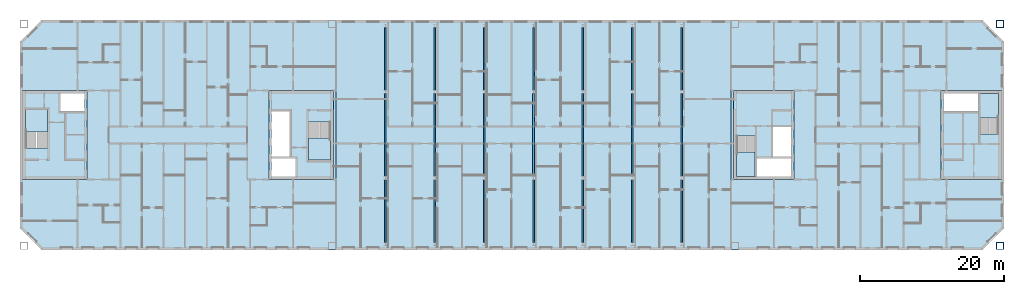
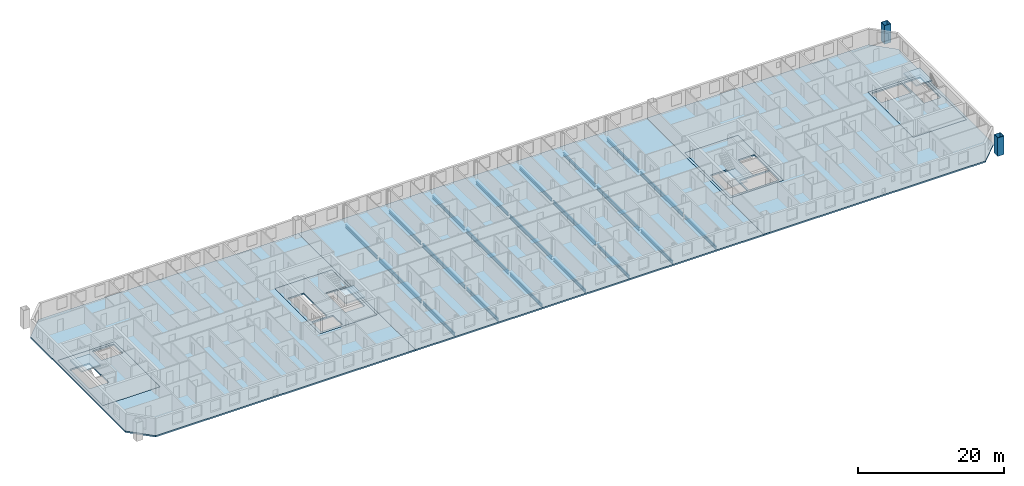
# One storey, part 3 of 19: 21 beams, 11 slabs, 2 columns, 4 elements without a shape of their own.
"""IFC4 building model written with IfcOpenShell, lengths in metres."""

from ifc_helpers import new_model, si_unit, direction, frame, origin, origin_2d, place, context, subcontext, project, spatial, polyline, hollow_rectangle, i_section, outline, extrude, material, layer, layer_set, material_profile, profile_set, type_object, element, aggregate, save


model = new_model("IFC4")

# Units and contexts
model_context = context("Model", 3, precision=1e-05, world=origin(), true_north=direction((0.0, 1.0)))
body_context = subcontext(model_context, "Body", "Model", "MODEL_VIEW")
ifc_project = project(units=[si_unit("LENGTHUNIT", "METRE"), si_unit("AREAUNIT", "SQUARE_METRE"), si_unit("VOLUMEUNIT", "CUBIC_METRE"), si_unit("PLANEANGLEUNIT", "RADIAN"), si_unit("MASSUNIT", "GRAM", prefix="KILO")], contexts=[model_context])

# Site, building, storey
site_placement = place(None, origin())
site = spatial("IfcSite", under=ifc_project, at=site_placement, CompositionType="ELEMENT")
building_placement = place(site_placement, origin())
building = spatial("IfcBuilding", under=site, at=building_placement, Name="Tuart Gate Housing", CompositionType="ELEMENT")
storey_placement = place(building_placement, frame((0.0, 0.0, 233.800048828125)))
storey = spatial("IfcBuildingStorey", under=building, at=storey_placement, Name="L66", CompositionType="ELEMENT", Elevation=233.800048828125)

# Columns
ifc_material_1 = material(Name="Steel Grade 350", Category="steel")
ifc_material_profile_1 = material_profile(ifc_material_1, hollow_rectangle(XDim=1.0, YDim=1.0, WallThickness=0.054931640625, at=origin_2d()), Name="BOX 1000x1000x55")
ifc_profile_set_1 = profile_set([ifc_material_profile_1], Name="Steel Grade 350")
column_type = type_object("IfcColumnType", Name="Mega column BOX 1000x1000x55", PredefinedType="COLUMN", material=ifc_profile_set_1)
for number, where, z_axis, x_axis, name in (
    (1, (168.449951171875, 54.550048828125, 0.0), (0.0, 0.0, 1.0), (1.0, 0.0, 0.0), "Mega column B south-east L66"),
    (2, (168.449951171875, 85.449951171875, 0.0), (0.0, 0.0, 1.0), (1.0, 0.0, 0.0), "Mega column B north-east L66"),
):
    element("IfcColumn", number, at=place(storey_placement, frame(where, z_axis=z_axis, x_axis=x_axis)), inside=storey, type_object=column_type, Name=name, PredefinedType="COLUMN", context=body_context, shape_type="SweptSolid", body=[
        extrude(hollow_rectangle(XDim=1.0, YDim=1.0, WallThickness=0.054931640625, at=origin_2d()), origin(), (0.0, 0.0, 1.0), 3.099853515625),
    ])

# Beams
ifc_material_2 = material(Name="Steel Grade 350", Category="steel")
ifc_material_profile_2 = material_profile(ifc_material_2, i_section(OverallWidth=0.208984375, OverallDepth=0.532958984375, WebThickness=0.01025390625, FlangeThickness=0.015625, at=origin_2d()), Name="530UB92.4")
ifc_profile_set_2 = profile_set([ifc_material_profile_2], Name="Steel Grade 350")
beam_type_1 = type_object("IfcBeamType", Name="Floor beam 530 UB92.4", PredefinedType="BEAM", material=ifc_profile_set_2)
for number, where, z_axis, x_axis, name in (
    (3, (82.875, 55.014892578125, -0.51611328125), (0.0, 1.0, 0.0), (-1.0, 0.0, 0.0), "Block floor beam L66 bay 1 position 1"),
    (4, (82.875, 76.215087890625, -0.51611328125), (0.0, 1.0, 0.0), (-1.0, 0.0, 0.0), "Block floor beam L66 bay 1 position 3"),
    (5, (89.75, 55.014892578125, -0.51611328125), (0.0, 1.0, 0.0), (-1.0, 0.0, 0.0), "Block floor beam L66 bay 2 position 1"),
    (6, (89.75, 76.215087890625, -0.51611328125), (0.0, 1.0, 0.0), (-1.0, 0.0, 0.0), "Block floor beam L66 bay 2 position 3"),
    (7, (96.625, 55.014892578125, -0.51611328125), (0.0, 1.0, 0.0), (-1.0, 0.0, 0.0), "Block floor beam L66 bay 3 position 1"),
    (8, (96.625, 76.215087890625, -0.51611328125), (0.0, 1.0, 0.0), (-1.0, 0.0, 0.0), "Block floor beam L66 bay 3 position 3"),
    (9, (103.5, 55.014892578125, -0.51611328125), (0.0, 1.0, 0.0), (-1.0, 0.0, 0.0), "Block floor beam L66 bay 4 position 1"),
    (10, (103.5, 76.215087890625, -0.51611328125), (0.0, 1.0, 0.0), (-1.0, 0.0, 0.0), "Block floor beam L66 bay 4 position 3"),
    (11, (110.375, 55.014892578125, -0.51611328125), (0.0, 1.0, 0.0), (-1.0, 0.0, 0.0), "Block floor beam L66 bay 5 position 1"),
    (12, (110.375, 76.215087890625, -0.51611328125), (0.0, 1.0, 0.0), (-1.0, 0.0, 0.0), "Block floor beam L66 bay 5 position 3"),
    (13, (117.25, 55.014892578125, -0.51611328125), (0.0, 1.0, 0.0), (-1.0, 0.0, 0.0), "Block floor beam L66 bay 6 position 1"),
    (14, (117.25, 76.215087890625, -0.51611328125), (0.0, 1.0, 0.0), (-1.0, 0.0, 0.0), "Block floor beam L66 bay 6 position 3"),
    (15, (124.125, 55.014892578125, -0.51611328125), (0.0, 1.0, 0.0), (-1.0, 0.0, 0.0), "Block floor beam L66 bay 7 position 1"),
    (16, (124.125, 76.215087890625, -0.51611328125), (0.0, 1.0, 0.0), (-1.0, 0.0, 0.0), "Block floor beam L66 bay 7 position 3"),
):
    element("IfcBeam", number, at=place(storey_placement, frame(where, z_axis=z_axis, x_axis=x_axis)), inside=storey, type_object=beam_type_1, Name=name, PredefinedType="BEAM", context=body_context, shape_type="SweptSolid", body=[
        extrude(i_section(OverallWidth=0.208984375, OverallDepth=0.532958984375, WebThickness=0.01025390625, FlangeThickness=0.015625, at=origin_2d()), origin(), (0.0, 0.0, 1.0), 8.77001953125),
    ])
ifc_material_3 = material(Name="Steel Grade 350", Category="steel")
ifc_material_profile_3 = material_profile(ifc_material_3, i_section(OverallWidth=0.22900390625, OverallDepth=0.612060546875, WebThickness=0.011962890625, FlangeThickness=0.01953125, at=origin_2d()), Name="610UB125")
ifc_profile_set_3 = profile_set([ifc_material_profile_3], Name="Steel Grade 350")
beam_type_2 = type_object("IfcBeamType", Name="Floor beam 610 UB125", PredefinedType="BEAM", material=ifc_profile_set_3)
for number, where, z_axis, x_axis, name in (
    (17, (82.875, 64.215087890625, -0.55615234375), (0.0, 1.0, 0.0), (-1.0, 0.0, 0.0), "Block floor beam L66 bay 1 position 2"),
    (18, (89.75, 64.215087890625, -0.55615234375), (0.0, 1.0, 0.0), (-1.0, 0.0, 0.0), "Block floor beam L66 bay 2 position 2"),
    (19, (96.625, 64.215087890625, -0.55615234375), (0.0, 1.0, 0.0), (-1.0, 0.0, 0.0), "Block floor beam L66 bay 3 position 2"),
    (20, (103.5, 64.215087890625, -0.55615234375), (0.0, 1.0, 0.0), (-1.0, 0.0, 0.0), "Block floor beam L66 bay 4 position 2"),
    (21, (110.375, 64.215087890625, -0.55615234375), (0.0, 1.0, 0.0), (-1.0, 0.0, 0.0), "Block floor beam L66 bay 5 position 2"),
    (22, (117.25, 64.215087890625, -0.55615234375), (0.0, 1.0, 0.0), (-1.0, 0.0, 0.0), "Block floor beam L66 bay 6 position 2"),
    (23, (124.125, 64.215087890625, -0.55615234375), (0.0, 1.0, 0.0), (-1.0, 0.0, 0.0), "Block floor beam L66 bay 7 position 2"),
):
    element("IfcBeam", number, at=place(storey_placement, frame(where, z_axis=z_axis, x_axis=x_axis)), inside=storey, type_object=beam_type_2, Name=name, PredefinedType="BEAM", context=body_context, shape_type="SweptSolid", body=[
        extrude(i_section(OverallWidth=0.22900390625, OverallDepth=0.612060546875, WebThickness=0.011962890625, FlangeThickness=0.01953125, at=origin_2d()), origin(), (0.0, 0.0, 1.0), 11.56982421875),
    ])

# Slabs
ifc_material_4 = material(Name="Concrete C40", Category="concrete")
ifc_layer_1 = layer(ifc_material_4, 0.25)
ifc_layer_set_1 = layer_set([ifc_layer_1], Name="Core floor slab 250")
slab_type_1 = type_object("IfcSlabType", Name="Core floor slab 250", PredefinedType="FLOOR", material=ifc_layer_set_1)
slab_1_placement = place(storey_placement, frame((0.0, 0.0, -0.25)))
element("IfcSlab", 24, at=slab_1_placement, inside=storey, type_object=slab_type_1, Name="Core floor AG", PredefinedType="FLOOR", context=body_context, shape_type="SweptSolid", body=[
    extrude(outline(polyline([(66.639892578125, 63.800048828125), (75.639892578125, 63.800048828125), (75.639892578125, 76.199951171875), (66.639892578125, 76.199951171875), (66.639892578125, 63.800048828125)]), holes=[polyline([(67.0400390625, 64.199951171875), (70.385009765625, 64.199951171875), (70.385009765625, 66.72509765625), (67.0400390625, 66.72509765625), (67.0400390625, 64.199951171875)]), polyline([(67.0400390625, 66.97509765625), (69.56494140625, 66.97509765625), (69.56494140625, 73.324951171875), (67.0400390625, 73.324951171875), (67.0400390625, 66.97509765625)]), polyline([(72.1650390625, 66.47509765625), (75.239990234375, 66.47509765625), (75.239990234375, 71.804931640625), (72.1650390625, 71.804931640625), (72.1650390625, 66.47509765625)])]), origin(), (0.0, 0.0, 1.0), 0.25),
])
slab_2_placement = place(storey_placement, frame((0.0, 0.0, -0.25)))
element("IfcSlab", 25, at=slab_2_placement, inside=storey, type_object=slab_type_1, Name="Core floor AK", PredefinedType="FLOOR", context=body_context, shape_type="SweptSolid", body=[
    extrude(outline(polyline([(32.360107421875, 63.800048828125), (41.360107421875, 63.800048828125), (41.360107421875, 76.199951171875), (32.360107421875, 76.199951171875), (32.360107421875, 63.800048828125)]), holes=[polyline([(40.9599609375, 75.800048828125), (37.614990234375, 75.800048828125), (37.614990234375, 73.27490234375), (40.9599609375, 73.27490234375), (40.9599609375, 75.800048828125)]), polyline([(35.8349609375, 73.52490234375), (32.760009765625, 73.52490234375), (32.760009765625, 68.195068359375), (35.8349609375, 68.195068359375), (35.8349609375, 73.52490234375)])]), origin(), (0.0, 0.0, 1.0), 0.25),
])
slab_3_placement = place(storey_placement, frame((0.0, 0.0, -0.25)))
element("IfcSlab", 26, at=slab_3_placement, inside=storey, type_object=slab_type_1, Name="Core floor BG", PredefinedType="FLOOR", context=body_context, shape_type="SweptSolid", body=[
    extrude(outline(polyline([(131.360107421875, 63.800048828125), (139.760009765625, 63.800048828125), (139.760009765625, 76.199951171875), (131.360107421875, 76.199951171875), (131.360107421875, 63.800048828125)]), holes=[polyline([(139.360107421875, 66.85009765625), (134.5849609375, 66.85009765625), (134.5849609375, 64.199951171875), (139.360107421875, 64.199951171875), (139.360107421875, 66.85009765625)]), polyline([(139.360107421875, 71.125), (136.8349609375, 71.125), (136.8349609375, 66.97509765625), (139.360107421875, 66.97509765625), (139.360107421875, 71.125)]), polyline([(134.3349609375, 69.85498046875), (131.760009765625, 69.85498046875), (131.760009765625, 64.199951171875), (134.3349609375, 64.199951171875), (134.3349609375, 69.85498046875)])]), origin(), (0.0, 0.0, 1.0), 0.25),
])
slab_4_placement = place(storey_placement, frame((0.0, 0.0, -0.25)))
element("IfcSlab", 27, at=slab_4_placement, inside=storey, type_object=slab_type_1, Name="Core floor BK", PredefinedType="FLOOR", context=body_context, shape_type="SweptSolid", body=[
    extrude(outline(polyline([(160.239990234375, 63.800048828125), (168.639892578125, 63.800048828125), (168.639892578125, 76.199951171875), (160.239990234375, 76.199951171875), (160.239990234375, 63.800048828125)]), holes=[polyline([(160.639892578125, 73.14990234375), (165.4150390625, 73.14990234375), (165.4150390625, 75.800048828125), (160.639892578125, 75.800048828125), (160.639892578125, 73.14990234375)]), polyline([(165.6650390625, 70.14501953125), (168.239990234375, 70.14501953125), (168.239990234375, 75.800048828125), (165.6650390625, 75.800048828125), (165.6650390625, 70.14501953125)])]), origin(), (0.0, 0.0, 1.0), 0.25),
])
ifc_material_5 = material(Name="Concrete C40", Category="concrete")
ifc_layer_2 = layer(ifc_material_5, 0.25)
ifc_layer_set_2 = layer_set([ifc_layer_2], Name="Flat plate 250")
slab_type_2 = type_object("IfcSlabType", Name="Flat plate 250", PredefinedType="FLOOR", material=ifc_layer_set_2)
slab_5_placement = place(storey_placement, frame((0.0, 0.0, -0.25)))
element("IfcSlab", 28, at=slab_5_placement, inside=storey, type_object=slab_type_2, Name="Floor slab A L66", PredefinedType="FLOOR", context=body_context, shape_type="SweptSolid", body=[
    extrude(outline(polyline([(35.0, 86.0), (32.0, 83.0), (32.0, 57.0), (35.0, 54.0), (76.0, 54.0), (76.0, 86.0), (35.0, 86.0)]), holes=[polyline([(66.639892578125, 76.199951171875), (75.639892578125, 76.199951171875), (75.639892578125, 63.800048828125), (66.639892578125, 63.800048828125), (66.639892578125, 76.199951171875)]), polyline([(41.360107421875, 76.199951171875), (41.360107421875, 63.800048828125), (32.360107421875, 63.800048828125), (32.360107421875, 76.199951171875), (41.360107421875, 76.199951171875)])]), origin(), (0.0, 0.0, 1.0), 0.25),
])
slab_6_placement = place(storey_placement, frame((0.0, 0.0, -0.25)))
element("IfcSlab", 29, at=slab_6_placement, inside=storey, type_object=slab_type_2, Name="Floor slab B L66", PredefinedType="FLOOR", context=body_context, shape_type="SweptSolid", body=[
    extrude(outline(polyline([(166.0, 86.0), (131.0, 86.0), (131.0, 54.0), (166.0, 54.0), (169.0, 57.0), (169.0, 83.0), (166.0, 86.0)]), holes=[polyline([(131.360107421875, 76.199951171875), (139.760009765625, 76.199951171875), (139.760009765625, 63.800048828125), (131.360107421875, 63.800048828125), (131.360107421875, 76.199951171875)]), polyline([(168.639892578125, 76.199951171875), (168.639892578125, 63.800048828125), (160.239990234375, 63.800048828125), (160.239990234375, 76.199951171875), (168.639892578125, 76.199951171875)])]), origin(), (0.0, 0.0, 1.0), 0.25),
])
slab_7_placement = place(storey_placement, frame((0.0, 0.0, -0.25)))
element("IfcSlab", 30, at=slab_7_placement, inside=storey, type_object=slab_type_2, Name="Link floor slab L66", PredefinedType="FLOOR", context=body_context, shape_type="SweptSolid", body=[
    extrude(outline(polyline([(76.0, 54.0), (131.0, 54.0), (131.0, 86.0), (76.0, 86.0), (76.0, 54.0)])), origin(), (0.0, 0.0, 1.0), 0.25),
])

# Stair, slab
ifc_material_6 = material(Name="Concrete C40", Category="concrete")
stair_type_1 = type_object("IfcStairType", Name="Core stair 1500", PredefinedType="HALF_TURN_STAIR", material=ifc_material_6)
stair_1_placement = place(storey_placement, origin())
stair_1 = element("IfcStair", 31, at=stair_1_placement, inside=storey, type_object=stair_type_1, Name="Stair SA1", PredefinedType="HALF_TURN_STAIR")
ifc_material_7 = material(Name="Concrete C40", Category="concrete")
ifc_layer_3 = layer(ifc_material_7, 0.199951171875)
ifc_layer_set_3 = layer_set([ifc_layer_3], Name="Stair landing 200")
slab_type_3 = type_object("IfcSlabType", Name="Stair landing 200", PredefinedType="LANDING", material=ifc_layer_set_3)
slab_8_placement = place(storey_placement, frame((0.0, 0.0, 1.349853515625)))
slab_8 = element("IfcSlab", 32, at=slab_8_placement, type_object=slab_type_3, Name="SA1 landing 1", PredefinedType="LANDING", context=body_context, shape_type="SweptSolid", body=[
    extrude(outline(polyline([(72.1650390625, 66.47509765625), (75.239990234375, 66.47509765625), (75.239990234375, 69.5849609375), (72.1650390625, 69.5849609375), (72.1650390625, 66.47509765625)])), origin(), (0.0, 0.0, 1.0), 0.2001953125),
])
aggregate(stair_1, [slab_8])

stair_2_placement = place(storey_placement, origin())
stair_2 = element("IfcStair", 33, at=stair_2_placement, inside=storey, type_object=stair_type_1, Name="Stair SA2", PredefinedType="HALF_TURN_STAIR")
slab_9_placement = place(storey_placement, frame((0.0, 0.0, 1.349853515625)))
slab_9 = element("IfcSlab", 34, at=slab_9_placement, type_object=slab_type_3, Name="SA2 landing 1", PredefinedType="LANDING", context=body_context, shape_type="SweptSolid", body=[
    extrude(outline(polyline([(35.8349609375, 73.52490234375), (32.760009765625, 73.52490234375), (32.760009765625, 70.4150390625), (35.8349609375, 70.4150390625), (35.8349609375, 73.52490234375)])), origin(), (0.0, 0.0, 1.0), 0.2001953125),
])
aggregate(stair_2, [slab_9])

ifc_material_8 = material(Name="Concrete C40", Category="concrete")
stair_type_2 = type_object("IfcStairType", Name="Core stair 1250", PredefinedType="HALF_TURN_STAIR", material=ifc_material_8)
stair_3_placement = place(storey_placement, origin())
stair_3 = element("IfcStair", 35, at=stair_3_placement, inside=storey, type_object=stair_type_2, Name="Stair SB1", PredefinedType="HALF_TURN_STAIR")
slab_10_placement = place(storey_placement, frame((0.0, 0.0, 1.349853515625)))
slab_10 = element("IfcSlab", 36, at=slab_10_placement, type_object=slab_type_3, Name="SB1 landing 1", PredefinedType="LANDING", context=body_context, shape_type="SweptSolid", body=[
    extrude(outline(polyline([(134.3349609375, 67.635009765625), (131.760009765625, 67.635009765625), (131.760009765625, 64.199951171875), (134.3349609375, 64.199951171875), (134.3349609375, 67.635009765625)])), origin(), (0.0, 0.0, 1.0), 0.2001953125),
])
aggregate(stair_3, [slab_10])

stair_4_placement = place(storey_placement, origin())
stair_4 = element("IfcStair", 37, at=stair_4_placement, inside=storey, type_object=stair_type_2, Name="Stair SB2", PredefinedType="HALF_TURN_STAIR")
slab_11_placement = place(storey_placement, frame((0.0, 0.0, 1.349853515625)))
slab_11 = element("IfcSlab", 38, at=slab_11_placement, type_object=slab_type_3, Name="SB2 landing 1", PredefinedType="LANDING", context=body_context, shape_type="SweptSolid", body=[
    extrude(outline(polyline([(165.6650390625, 72.364990234375), (168.239990234375, 72.364990234375), (168.239990234375, 75.800048828125), (165.6650390625, 75.800048828125), (165.6650390625, 72.364990234375)])), origin(), (0.0, 0.0, 1.0), 0.2001953125),
])
aggregate(stair_4, [slab_11])

save(model, "model.ifc")
